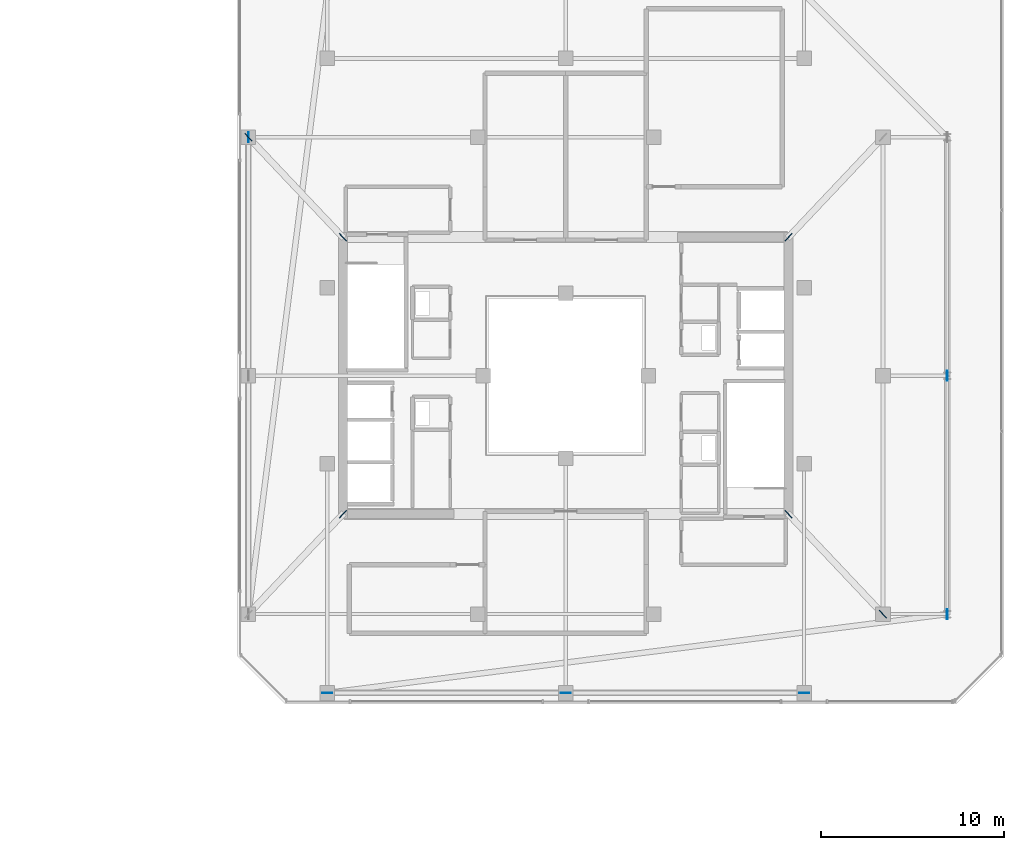
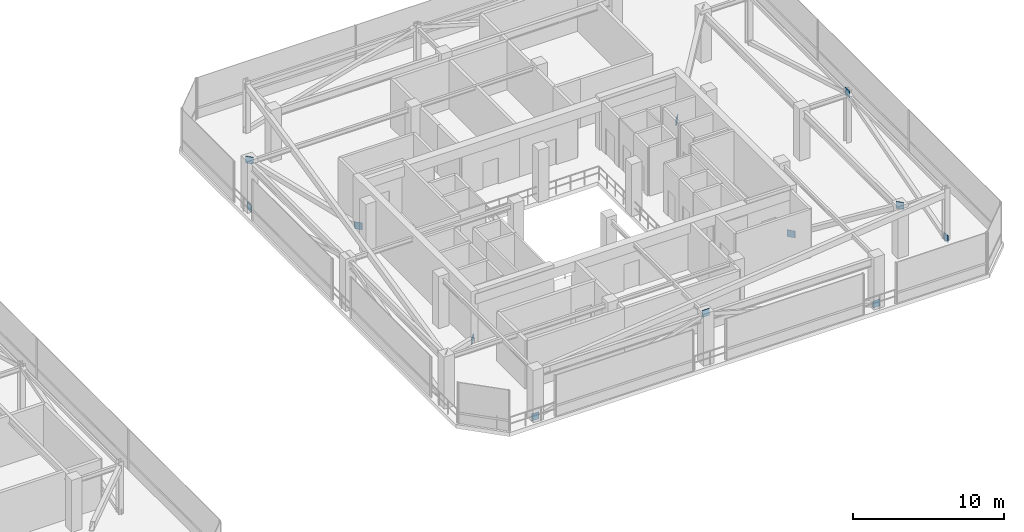
# One storey, part 39 of 47: 12 plates.
"""IFC4 building model written with IfcOpenShell, lengths in metres."""

from ifc_helpers import new_model, si_unit, direction, frame, origin, origin_2d, place, context, subcontext, project, spatial, rectangle, extrude, material, layer, layer_set, type_object, element, save


model = new_model("IFC4")

# Units and contexts
model_context = context("Model", 3, precision=1e-05, world=origin(), true_north=direction((0.0, 1.0)))
body_context = subcontext(model_context, "Body", "Model", "MODEL_VIEW")
ifc_project = project(units=[si_unit("LENGTHUNIT", "METRE"), si_unit("AREAUNIT", "SQUARE_METRE"), si_unit("VOLUMEUNIT", "CUBIC_METRE"), si_unit("PLANEANGLEUNIT", "RADIAN"), si_unit("MASSUNIT", "GRAM", prefix="KILO")], contexts=[model_context])

# Site, building, storey
site_placement = place(None, origin())
site = spatial("IfcSite", under=ifc_project, at=site_placement, CompositionType="ELEMENT")
building_placement = place(site_placement, origin())
building = spatial("IfcBuilding", under=site, at=building_placement, Name="Thornwick Lancets Civic Towers", CompositionType="ELEMENT")
storey_placement = place(building_placement, frame((0.0, 0.0, 279.89990234375)))
storey = spatial("IfcBuildingStorey", under=building, at=storey_placement, Name="C01", CompositionType="ELEMENT", Elevation=279.89990234375)

# Plates
ifc_material = material(Name="Steel S460M", Category="steel")
ifc_layer = layer(ifc_material, 0.0400390625, Name="Steel S460M")
ifc_layer_set = layer_set([ifc_layer], Name="Steel S460M")
plate_type = type_object("IfcPlateType", Name="PLT_GUSSET_40", PredefinedType="USERDEFINED", material=ifc_layer_set)
for number, where, z_axis, x_axis, name in (
    (1, (109.300048828125, 14.0, -0.125), (0.0, 0.0, 1.0), (0.0, 1.0, 0.0), "C01 Brace Connection Gusset Plate 0441"),
    (2, (109.300048828125, 27.0, 3.6650390625), (0.0, 0.0, 1.0), (0.0, 1.0, 0.0), "C01 Brace Connection Gusset Plate 0442"),
    (3, (71.199951171875, 40.0, -0.125), (0.0, 0.0, 1.0), (0.0, -1.0, 0.0), "C01 Brace Connection Gusset Plate 0449"),
    (4, (101.5, 9.699951171875, -0.125), (0.0, 0.0, 1.0), (-1.0, 0.0, 0.0), "C01 Brace Connection Gusset Plate 0450"),
    (5, (88.5, 9.699951171875, 3.6650390625), (0.0, 0.0, 1.0), (-1.0, 0.0, 0.0), "C01 Brace Connection Gusset Plate 0451"),
    (6, (75.5, 9.699951171875, -0.125), (0.0, 0.0, 1.0), (1.0, 0.0, 0.0), "C01 Brace Connection Gusset Plate 0452"),
    (7, (100.64990234375, 19.449951171875, -0.125), (0.0, 0.0, 1.0), (0.686833846544, -0.726814465487, 0.0), "C01 Brace Connection Gusset Plate 0453"),
    (8, (105.800048828125, 14.0, 3.6650390625), (0.0, 0.0, 1.0), (0.686833846544, -0.726814465487, 0.0), "C01 Brace Connection Gusset Plate 0454"),
    (9, (100.64990234375, 34.550048828125, -0.125), (0.0, 0.0, 1.0), (0.686833846544, 0.726814465487, 0.0), "C01 Brace Connection Gusset Plate 0455"),
    (10, (76.35009765625, 19.449951171875, -0.125), (0.0, 0.0, 1.0), (-0.686833846544, -0.726814465487, 0.0), "C01 Brace Connection Gusset Plate 0457"),
    (11, (76.35009765625, 34.550048828125, -0.125), (0.0, 0.0, 1.0), (-0.686833846544, 0.726814465487, 0.0), "C01 Brace Connection Gusset Plate 0459"),
    (12, (71.199951171875, 40.0, 3.6650390625), (0.0, 0.0, 1.0), (-0.686833846544, 0.726814465487, 0.0), "C01 Brace Connection Gusset Plate 0460"),
):
    element("IfcPlate", number, at=place(storey_placement, frame(where, z_axis=z_axis, x_axis=x_axis)), inside=storey, type_object=plate_type, Name=name, ObjectType="GUSSET_PLATE", PredefinedType="USERDEFINED", context=body_context, shape_type="SweptSolid", body=[
        extrude(rectangle(XDim=0.550048828125, YDim=0.0400390625, at=origin_2d()), origin(), (0.0, 0.0, 1.0), 0.550048828125),
    ])

save(model, "model.ifc")
